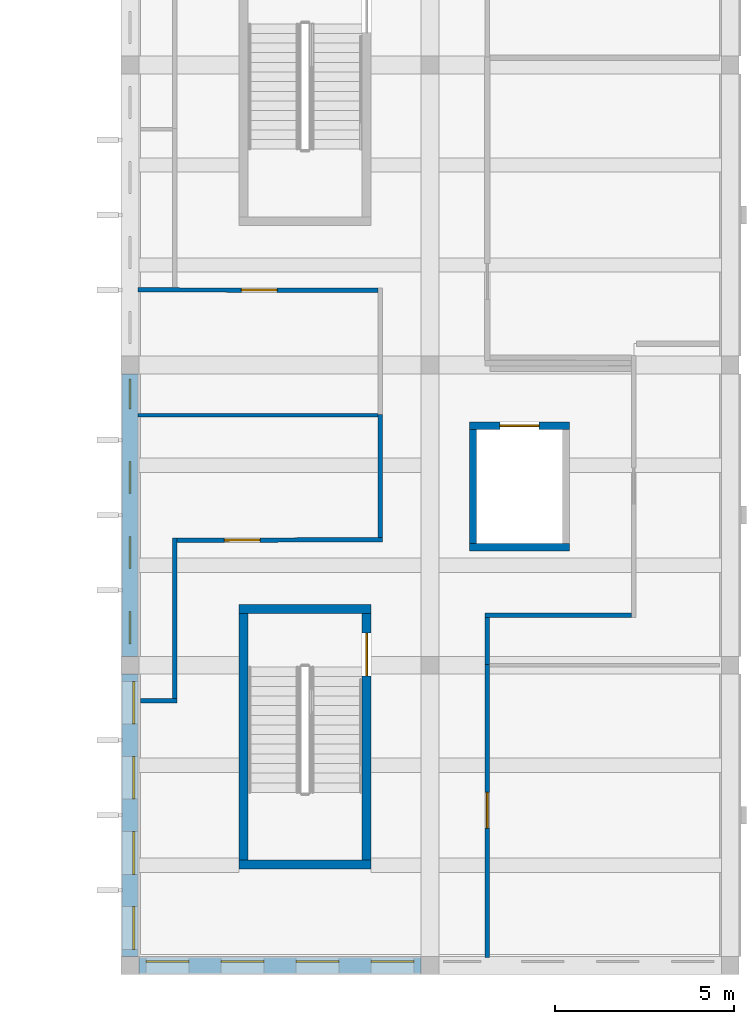
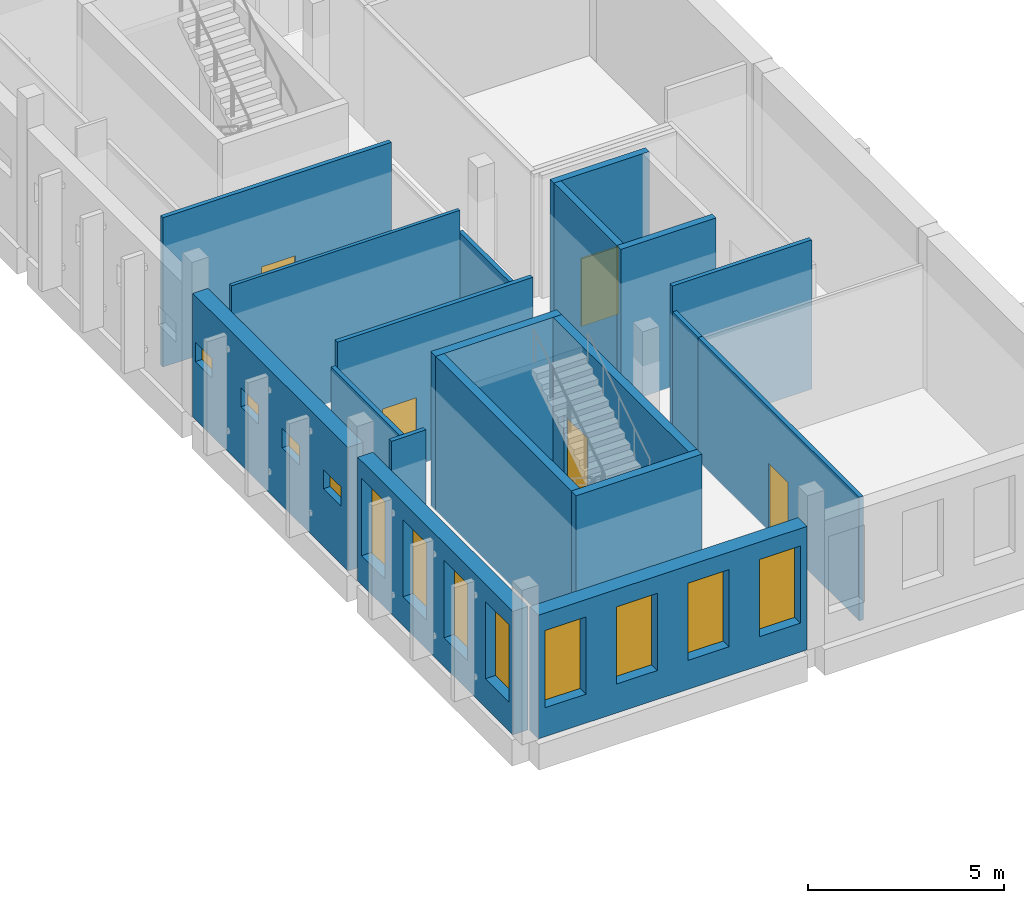
# One storey, part 9 of 37: 19 walls, 12 windows, 5 doors, 17 openings.
"""IFC4 building model written with IfcOpenShell, lengths in metres."""

from ifc_helpers import new_model, si_unit, direction, frame, frame_2d, origin, place, context, subcontext, project, spatial, rectangle, extrude, material, layer, layer_set, type_object, element, fill, save


model = new_model("IFC4")

# Units and contexts
model_context = context("Model", 3, precision=1e-05, world=origin(), true_north=direction((0.0, 1.0)))
body_context = subcontext(model_context, "Body", "Model", "MODEL_VIEW")
ifc_project = project(units=[si_unit("LENGTHUNIT", "METRE"), si_unit("AREAUNIT", "SQUARE_METRE"), si_unit("VOLUMEUNIT", "CUBIC_METRE"), si_unit("PLANEANGLEUNIT", "RADIAN"), si_unit("MASSUNIT", "GRAM", prefix="KILO")], contexts=[model_context])

# Site, building, storey
site_placement = place(None, origin())
site = spatial("IfcSite", under=ifc_project, at=site_placement, CompositionType="ELEMENT")
building_placement = place(site_placement, origin())
building = spatial("IfcBuilding", under=site, at=building_placement, Name="Larchfold Concert Hall", CompositionType="ELEMENT")
storey_placement = place(building_placement, frame((0.0, 0.0, 19.199951171875)))
storey = spatial("IfcBuildingStorey", under=building, at=storey_placement, Name="L04", CompositionType="ELEMENT", Elevation=19.199951171875)

# Wall, opening, door
ifc_material_1 = material(Name="Plasterboard partition on steel studs", Category="steel")
ifc_layer_1 = layer(ifc_material_1, 0.125)
ifc_layer_set_1 = layer_set([ifc_layer_1], Name="Plasterboard partition on steel studs")
wall_type_1 = type_object("IfcWallType", Name="Corridor partition 125 EI 60", PredefinedType="PARTITIONING", material=ifc_layer_set_1)
wall_1_placement = place(storey_placement, frame((94.60107421875, 9.02001953125, 0.0), z_axis=(0.0, 0.0, 1.0), x_axis=(-0.000119168205, -0.999999992899, 0.0)))
wall_1 = element("IfcWall", 1, at=wall_1_placement, inside=storey, type_object=wall_type_1, Name="Partition IW0015", PredefinedType="PARTITIONING", context=body_context, shape_type="SweptSolid", body=[
    extrude(rectangle(XDim=8.19482421875, YDim=0.125, at=frame_2d((4.097412109375, 0.0))), origin(), (0.0, 0.0, 1.0), 3.840087890625),
])
opening_1_placement = place(wall_1_placement, frame((3.579833984375, 0.0, 0.0)))
opening_1 = element("IfcOpeningElement", 2, at=opening_1_placement, cuts=wall_1, Name="Opening D-L04-108", PredefinedType="OPENING", context=body_context, shape_type="SweptSolid", body=[
    extrude(rectangle(XDim=1.0, YDim=2.10009765625, at=frame_2d((0.5, 1.050048828125))), frame((0.0, 0.072509765625, 0.0), z_axis=(0.0, -1.0, 0.0), x_axis=(1.0, 0.0, 0.0)), (0.0, 0.0, 1.0), 0.14501953125),
])
ifc_material_2 = material(Name="Timber door leaf", Category="wood")
door_type_1 = type_object("IfcDoorType", Name="Dressing room door 1000 x 2100 FD30S", OperationType="SINGLE_SWING_LEFT", PredefinedType="DOOR", material=ifc_material_2)
door_1_placement = place(opening_1_placement, origin())
door_1 = element("IfcDoor", 3, at=door_1_placement, inside=storey, type_object=door_type_1, Name="Door D-L04-108", OperationType="SINGLE_SWING_LEFT", OverallHeight=2.10009765625, OverallWidth=1.0, PredefinedType="DOOR", context=body_context, shape_type="SweptSolid", body=[
    extrude(rectangle(XDim=1.0, YDim=2.10009765625, at=frame_2d((0.5, 1.050048828125))), frame((0.0, 0.02490234375, 0.0), z_axis=(0.0, -1.0, 0.0), x_axis=(1.0, 0.0, 0.0)), (0.0, 0.0, 1.0), 0.050048828125),
])
fill(opening_1, door_1)

# Walls
wall_2_placement = place(storey_placement, frame((98.636474609375, 10.40087890625, 0.0), z_axis=(0.0, 0.0, 1.0), x_axis=(-0.999998507473, -0.001727730516, 0.0)))
element("IfcWall", 4, at=wall_2_placement, inside=storey, type_object=wall_type_1, Name="Partition IW0017", PredefinedType="PARTITIONING", context=body_context, shape_type="SweptSolid", body=[
    extrude(rectangle(XDim=4.097900390625, YDim=0.125, at=frame_2d((2.048828125, 0.0))), origin(), (0.0, 0.0, 1.0), 4.64013671875),
])
wall_3_placement = place(storey_placement, frame((94.60107421875, 10.33154296875, 0.0), z_axis=(0.0, 0.0, 1.0), x_axis=(0.0, -1.0, 0.0)))
element("IfcWall", 5, at=wall_3_placement, inside=storey, type_object=wall_type_1, Name="Partition IW0018", PredefinedType="PARTITIONING", context=body_context, shape_type="SweptSolid", body=[
    extrude(rectangle(XDim=1.3115234375, YDim=0.125, at=frame_2d((0.65576171875, 0.0))), origin(), (0.0, 0.0, 1.0), 3.840087890625),
])
wall_4_placement = place(storey_placement, frame((84.89990234375, 8.0, 0.0), z_axis=(0.0, 0.0, 1.0), x_axis=(0.999955888097, 0.009392649238, 0.0)))
element("IfcWall", 6, at=wall_4_placement, inside=storey, type_object=wall_type_1, Name="Partition IW0019", PredefinedType="PARTITIONING", context=body_context, shape_type="SweptSolid", body=[
    extrude(rectangle(XDim=1.013671875, YDim=0.125, at=frame_2d((0.5068359375, 0.0))), origin(), (0.0, 0.0, 1.0), 4.64013671875),
])
wall_5_placement = place(storey_placement, frame((85.85107421875, 8.071533203125, 0.0), z_axis=(0.0, 0.0, 1.0), x_axis=(0.0, 1.0, 0.0)))
element("IfcWall", 7, at=wall_5_placement, inside=storey, type_object=wall_type_1, Name="Partition IW0020", PredefinedType="PARTITIONING", context=body_context, shape_type="SweptSolid", body=[
    extrude(rectangle(XDim=4.489990234375, YDim=0.125, at=frame_2d((2.2451171875, 0.0))), origin(), (0.0, 0.0, 1.0), 3.840087890625),
])

# Wall, opening, door
wall_6_placement = place(storey_placement, frame((85.91357421875, 12.4990234375, 0.0), z_axis=(0.0, 0.0, 1.0), x_axis=(0.999998484761, 0.001740826167, 0.0)))
wall_6 = element("IfcWall", 8, at=wall_6_placement, inside=storey, type_object=wall_type_1, Name="Partition IW0021", PredefinedType="PARTITIONING", context=body_context, shape_type="SweptSolid", body=[
    extrude(rectangle(XDim=5.75, YDim=0.125, at=frame_2d((2.875, 0.0))), origin(), (0.0, 0.0, 1.0), 4.64013671875),
])
opening_2_placement = place(wall_6_placement, frame((1.32666015625, 0.0, 0.0)))
opening_2 = element("IfcOpeningElement", 9, at=opening_2_placement, cuts=wall_6, Name="Opening D-L04-110", PredefinedType="OPENING", context=body_context, shape_type="SweptSolid", body=[
    extrude(rectangle(XDim=1.0, YDim=2.10009765625, at=frame_2d((0.5, 1.050048828125))), frame((0.0, 0.072509765625, 0.0), z_axis=(0.0, -1.0, 0.0), x_axis=(1.0, 0.0, 0.0)), (0.0, 0.0, 1.0), 0.14501953125),
])
door_2_placement = place(opening_2_placement, origin())
door_2 = element("IfcDoor", 10, at=door_2_placement, inside=storey, type_object=door_type_1, Name="Door D-L04-110", OperationType="SINGLE_SWING_RIGHT", OverallHeight=2.10009765625, OverallWidth=1.0, PredefinedType="DOOR", context=body_context, shape_type="SweptSolid", body=[
    extrude(rectangle(XDim=1.0, YDim=2.10009765625, at=frame_2d((0.5, 1.050048828125))), frame((0.0, 0.02490234375, 0.0), z_axis=(0.0, -1.0, 0.0), x_axis=(1.0, 0.0, 0.0)), (0.0, 0.0, 1.0), 0.050048828125),
])
fill(opening_2, door_2)

# Wall
wall_7_placement = place(storey_placement, frame((91.60107421875, 12.571533203125, 0.0), z_axis=(0.0, 0.0, 1.0), x_axis=(-0.000283185829, 0.999999959903, 0.0)))
element("IfcWall", 11, at=wall_7_placement, inside=storey, type_object=wall_type_1, Name="Partition IW0022", PredefinedType="PARTITIONING", context=body_context, shape_type="SweptSolid", body=[
    extrude(rectangle(XDim=3.448486328125, YDim=0.125, at=frame_2d((1.72412109375, 0.0))), origin(), (0.0, 0.0, 1.0), 3.93994140625),
])

# Wall, opening, door
wall_8_placement = place(storey_placement, frame((91.53662109375, 19.4970703125, 0.0), z_axis=(0.0, 0.0, 1.0), x_axis=(-0.999999761149, 0.000691160257, 0.0)))
wall_8 = element("IfcWall", 12, at=wall_8_placement, inside=storey, type_object=wall_type_1, Name="Partition IW0024", PredefinedType="PARTITIONING", context=body_context, shape_type="SweptSolid", body=[
    extrude(rectangle(XDim=6.71142578125, YDim=0.125, at=frame_2d((3.355712890625, 0.0))), origin(), (0.0, 0.0, 1.0), 4.64013671875),
])
opening_3_placement = place(wall_8_placement, frame((2.821044921875, 0.0, 0.0)))
opening_3 = element("IfcOpeningElement", 13, at=opening_3_placement, cuts=wall_8, Name="Opening D-L04-111", PredefinedType="OPENING", context=body_context, shape_type="SweptSolid", body=[
    extrude(rectangle(XDim=1.0, YDim=2.10009765625, at=frame_2d((0.5, 1.050048828125))), frame((0.0, 0.072509765625, 0.0), z_axis=(0.0, -1.0, 0.0), x_axis=(1.0, 0.0, 0.0)), (0.0, 0.0, 1.0), 0.14501953125),
])
door_3_placement = place(opening_3_placement, origin())
door_3 = element("IfcDoor", 14, at=door_3_placement, inside=storey, type_object=door_type_1, Name="Door D-L04-111", OperationType="SINGLE_SWING_LEFT", OverallHeight=2.10009765625, OverallWidth=1.0, PredefinedType="DOOR", context=body_context, shape_type="SweptSolid", body=[
    extrude(rectangle(XDim=1.0, YDim=2.10009765625, at=frame_2d((0.5, 1.050048828125))), frame((0.0, 0.02490234375, 0.0), z_axis=(0.0, -1.0, 0.0), x_axis=(1.0, 0.0, 0.0)), (0.0, 0.0, 1.0), 0.050048828125),
])
fill(opening_3, door_3)

# Walls
ifc_material_3 = material(Name="Plasterboard partition on steel studs", Category="steel")
ifc_layer_2 = layer(ifc_material_3, 0.10009765625)
ifc_layer_set_2 = layer_set([ifc_layer_2], Name="Plasterboard partition on steel studs")
wall_type_2 = type_object("IfcWallType", Name="Stud partition 100", PredefinedType="PARTITIONING", material=ifc_layer_set_2)
wall_9_placement = place(storey_placement, frame((84.8251953125, 16.0, 0.0), z_axis=(0.0, 0.0, 1.0), x_axis=(1.0, 0.0, 0.0)))
element("IfcWall", 15, at=wall_9_placement, inside=storey, type_object=wall_type_2, Name="Partition IW0045", PredefinedType="PARTITIONING", context=body_context, shape_type="SweptSolid", body=[
    extrude(rectangle(XDim=6.709716796875, YDim=0.10009765625, at=frame_2d((3.35498046875, 0.0))), origin(), (0.0, 0.0, 1.0), 4.64013671875),
])
ifc_material_4 = material(Name="Concrete C40/50", Category="concrete")
ifc_layer_3 = layer(ifc_material_4, 0.199951171875)
ifc_layer_set_3 = layer_set([ifc_layer_3], Name="Concrete C40/50")
wall_type_3 = type_object("IfcWallType", Name="Wall RC 200 lift shaft", PredefinedType="SOLIDWALL", material=ifc_layer_set_3)
wall_10_placement = place(storey_placement, frame((94.10009765625, 12.300048828125, 0.0), z_axis=(0.0, 0.0, 1.0), x_axis=(1.0, 0.0, 0.0)))
element("IfcWall", 16, at=wall_10_placement, inside=storey, type_object=wall_type_3, Name="Wall W0106", PredefinedType="SOLIDWALL", context=body_context, shape_type="SweptSolid", body=[
    extrude(rectangle(XDim=2.7998046875, YDim=0.199951171875, at=frame_2d((1.39990234375, 0.0))), origin(), (0.0, 0.0, 1.0), 4.800048828125),
])

# Wall, opening, door
wall_11_placement = place(storey_placement, frame((94.10009765625, 15.699951171875, 0.0), z_axis=(0.0, 0.0, 1.0), x_axis=(1.0, 0.0, 0.0)))
wall_11 = element("IfcWall", 17, at=wall_11_placement, inside=storey, type_object=wall_type_3, Name="Wall W0107", PredefinedType="SOLIDWALL", context=body_context, shape_type="SweptSolid", body=[
    extrude(rectangle(XDim=2.7998046875, YDim=0.199951171875, at=frame_2d((1.39990234375, 0.0))), origin(), (0.0, 0.0, 1.0), 4.800048828125),
])
opening_4_placement = place(wall_11_placement, frame((0.849853515625, 0.0, 0.0)))
opening_4 = element("IfcOpeningElement", 18, at=opening_4_placement, cuts=wall_11, Name="Opening LD-LF06", PredefinedType="OPENING", context=body_context, shape_type="SweptSolid", body=[
    extrude(rectangle(XDim=1.10009765625, YDim=2.10009765625, at=frame_2d((0.550048828125, 1.050048828125))), frame((0.0, 0.10986328125, 0.0), z_axis=(0.0, -1.0, 0.0), x_axis=(1.0, 0.0, 0.0)), (0.0, 0.0, 1.0), 0.219970703125),
])
ifc_material_5 = material(Name="Stainless steel sliding leaves", Category="steel")
door_type_2 = type_object("IfcDoorType", Name="Lift landing door sliding 1100 x 2100", OperationType="SLIDING_TO_LEFT", PredefinedType="DOOR", material=ifc_material_5)
door_4_placement = place(opening_4_placement, origin())
door_4 = element("IfcDoor", 19, at=door_4_placement, inside=storey, type_object=door_type_2, Name="Lift landing door LF06", OperationType="SLIDING_TO_LEFT", OverallHeight=2.10009765625, OverallWidth=1.10009765625, PredefinedType="DOOR", context=body_context, shape_type="SweptSolid", body=[
    extrude(rectangle(XDim=1.10009765625, YDim=2.10009765625, at=frame_2d((0.550048828125, 1.050048828125))), frame((0.0, 0.02490234375, 0.0), z_axis=(0.0, -1.0, 0.0), x_axis=(1.0, 0.0, 0.0)), (0.0, 0.0, 1.0), 0.050048828125),
])
fill(opening_4, door_4)

# Walls
wall_12_placement = place(storey_placement, frame((94.2001953125, 12.39990234375, 0.0), z_axis=(0.0, 0.0, 1.0), x_axis=(0.0, 1.0, 0.0)))
element("IfcWall", 20, at=wall_12_placement, inside=storey, type_object=wall_type_3, Name="Wall W0108", PredefinedType="SOLIDWALL", context=body_context, shape_type="SweptSolid", body=[
    extrude(rectangle(XDim=3.2001953125, YDim=0.199951171875, at=frame_2d((1.60009765625, 0.0))), origin(), (0.0, 0.0, 1.0), 4.800048828125),
])
ifc_material_6 = material(Name="Concrete C40/50", Category="concrete")
ifc_layer_4 = layer(ifc_material_6, 0.25)
ifc_layer_set_4 = layer_set([ifc_layer_4], Name="Concrete C40/50")
wall_type_4 = type_object("IfcWallType", Name="Wall RC 250 stair core", PredefinedType="SOLIDWALL", material=ifc_layer_set_4)
for number, where, z_axis, x_axis, name in (
    (21, (87.64990234375, 3.425048828125, 0.0), (0.0, 0.0, 1.0), (1.0, 0.0, 0.0), "Wall W0074"),
    (22, (87.64990234375, 10.574951171875, 0.0), (0.0, 0.0, 1.0), (1.0, 0.0, 0.0), "Wall W0075"),
):
    element("IfcWall", number, at=place(storey_placement, frame(where, z_axis=z_axis, x_axis=x_axis)), inside=storey, type_object=wall_type_4, Name=name, PredefinedType="SOLIDWALL", context=body_context, shape_type="SweptSolid", body=[
        extrude(rectangle(XDim=3.7001953125, YDim=0.25, at=frame_2d((1.85009765625, 0.0))), origin(), (0.0, 0.0, 1.0), 4.800048828125),
    ])
wall_13_placement = place(storey_placement, frame((87.77490234375, 3.550048828125, 0.0), z_axis=(0.0, 0.0, 1.0), x_axis=(0.0, 1.0, 0.0)))
element("IfcWall", 23, at=wall_13_placement, inside=storey, type_object=wall_type_4, Name="Wall W0076", PredefinedType="SOLIDWALL", context=body_context, shape_type="SweptSolid", body=[
    extrude(rectangle(XDim=6.89990234375, YDim=0.25, at=frame_2d((3.449951171875, 0.0))), origin(), (0.0, 0.0, 1.0), 4.800048828125),
])

# Wall, opening, door
wall_14_placement = place(storey_placement, frame((91.22509765625, 3.550048828125, 0.0), z_axis=(0.0, 0.0, 1.0), x_axis=(0.0, 1.0, 0.0)))
wall_14 = element("IfcWall", 24, at=wall_14_placement, inside=storey, type_object=wall_type_4, Name="Wall W0077", PredefinedType="SOLIDWALL", context=body_context, shape_type="SweptSolid", body=[
    extrude(rectangle(XDim=6.89990234375, YDim=0.25, at=frame_2d((3.449951171875, 0.0))), origin(), (0.0, 0.0, 1.0), 4.800048828125),
])
opening_5_placement = place(wall_14_placement, frame((5.14990234375, 0.0, 0.0)))
opening_5 = element("IfcOpeningElement", 25, at=opening_5_placement, cuts=wall_14, Name="Opening D-L04-129", PredefinedType="OPENING", context=body_context, shape_type="SweptSolid", body=[
    extrude(rectangle(XDim=1.199951171875, YDim=2.10009765625, at=frame_2d((0.60009765625, 1.050048828125))), frame((0.0, 0.135009765625, 0.0), z_axis=(0.0, -1.0, 0.0), x_axis=(1.0, 0.0, 0.0)), (0.0, 0.0, 1.0), 0.27001953125),
])
ifc_material_7 = material(Name="Timber door leaf", Category="wood")
door_type_3 = type_object("IfcDoorType", Name="Stair enclosure door pair 1200 x 2100 FD60", OperationType="SINGLE_SWING_LEFT", PredefinedType="DOOR", material=ifc_material_7)
door_5_placement = place(opening_5_placement, origin())
door_5 = element("IfcDoor", 26, at=door_5_placement, inside=storey, type_object=door_type_3, Name="Door D-L04-129", OperationType="DOUBLE_DOOR_SINGLE_SWING", OverallHeight=2.10009765625, OverallWidth=1.199951171875, PredefinedType="DOOR", context=body_context, shape_type="SweptSolid", body=[
    extrude(rectangle(XDim=1.199951171875, YDim=2.10009765625, at=frame_2d((0.60009765625, 1.050048828125))), frame((0.0, 0.02490234375, 0.0), z_axis=(0.0, -1.0, 0.0), x_axis=(1.0, 0.0, 0.0)), (0.0, 0.0, 1.0), 0.050048828125),
])
fill(opening_5, door_5)

# Wall, openings, windows
ifc_material_8 = material(Name="White render on mineral wool and block")
ifc_layer_5 = layer(ifc_material_8, 0.449951171875)
ifc_layer_set_5 = layer_set([ifc_layer_5], Name="White render on mineral wool and block")
wall_type_5 = type_object("IfcWallType", Name="White render infill wall 450", PredefinedType="SOLIDWALL", material=ifc_layer_set_5)
wall_15_placement = place(storey_placement, frame((84.60009765625, 17.14990234375, 0.0), z_axis=(0.0, 0.0, 1.0), x_axis=(0.0, -1.0, 0.0)))
wall_15 = element("IfcWall", 27, at=wall_15_placement, inside=storey, type_object=wall_type_5, Name="Infill wall W5172", PredefinedType="SOLIDWALL", context=body_context, shape_type="SweptSolid", body=[
    extrude(rectangle(XDim=7.89990234375, YDim=0.449951171875, at=frame_2d((3.949951171875, 0.0))), origin(), (0.0, 0.0, 1.0), 3.840087890625),
])
opening_6_placement = place(wall_15_placement, frame((6.64990234375, 0.0, 1.800048828125)))
opening_6 = element("IfcOpeningElement", 28, at=opening_6_placement, cuts=wall_15, Name="Opening WN-L04-037", PredefinedType="OPENING", context=body_context, shape_type="SweptSolid", body=[
    extrude(rectangle(XDim=0.89990234375, YDim=0.60009765625, at=frame_2d((0.449951171875, 0.300048828125))), frame((0.0, 0.23486328125, 0.0), z_axis=(0.0, -1.0, 0.0), x_axis=(1.0, 0.0, 0.0)), (0.0, 0.0, 1.0), 0.469970703125),
])
opening_7_placement = place(wall_15_placement, frame((4.5498046875, 0.0, 1.800048828125)))
opening_7 = element("IfcOpeningElement", 29, at=opening_7_placement, cuts=wall_15, Name="Opening WN-L04-038", PredefinedType="OPENING", context=body_context, shape_type="SweptSolid", body=[
    extrude(rectangle(XDim=0.89990234375, YDim=0.60009765625, at=frame_2d((0.449951171875, 0.300048828125))), frame((0.0, 0.23486328125, 0.0), z_axis=(0.0, -1.0, 0.0), x_axis=(1.0, 0.0, 0.0)), (0.0, 0.0, 1.0), 0.469970703125),
])
opening_8_placement = place(wall_15_placement, frame((2.449951171875, 0.0, 1.800048828125)))
opening_8 = element("IfcOpeningElement", 30, at=opening_8_placement, cuts=wall_15, Name="Opening WN-L04-039", PredefinedType="OPENING", context=body_context, shape_type="SweptSolid", body=[
    extrude(rectangle(XDim=0.89990234375, YDim=0.60009765625, at=frame_2d((0.449951171875, 0.300048828125))), frame((0.0, 0.23486328125, 0.0), z_axis=(0.0, -1.0, 0.0), x_axis=(1.0, 0.0, 0.0)), (0.0, 0.0, 1.0), 0.469970703125),
])
opening_9_placement = place(wall_15_placement, frame((0.135009765625, 0.0, 1.800048828125)))
opening_9 = element("IfcOpeningElement", 31, at=opening_9_placement, cuts=wall_15, Name="Opening WN-L04-040", PredefinedType="OPENING", context=body_context, shape_type="SweptSolid", body=[
    extrude(rectangle(XDim=0.85009765625, YDim=0.60009765625, at=frame_2d((0.425048828125, 0.300048828125))), frame((0.0, 0.23486328125, 0.0), z_axis=(0.0, -1.0, 0.0), x_axis=(1.0, 0.0, 0.0)), (0.0, 0.0, 1.0), 0.469970703125),
])
ifc_material_9 = material(Name="Anodised graphite aluminium frame with obscured glass", Category="aluminium")
window_type_1 = type_object("IfcWindowType", Name="Toilet high window 850x600", PartitioningType="SINGLE_PANEL", PredefinedType="WINDOW", material=ifc_material_9)
window_1_placement = place(opening_9_placement, origin())
window_1 = element("IfcWindow", 32, at=window_1_placement, inside=storey, type_object=window_type_1, Name="Window WN-L04-040", OverallHeight=0.60009765625, OverallWidth=0.85009765625, PartitioningType="SINGLE_PANEL", PredefinedType="WINDOW", context=body_context, shape_type="SweptSolid", body=[
    extrude(rectangle(XDim=0.85009765625, YDim=0.60009765625, at=frame_2d((0.425048828125, 0.300048828125))), frame((0.0, 0.034912109375, 0.0), z_axis=(0.0, -1.0, 0.0), x_axis=(1.0, 0.0, 0.0)), (0.0, 0.0, 1.0), 0.06005859375),
])
fill(opening_9, window_1)
ifc_material_10 = material(Name="Anodised graphite aluminium frame with obscured glass", Category="aluminium")
window_type_2 = type_object("IfcWindowType", Name="Toilet high window 900x600", PartitioningType="SINGLE_PANEL", PredefinedType="WINDOW", material=ifc_material_10)
window_2_placement = place(opening_6_placement, origin())
window_2 = element("IfcWindow", 33, at=window_2_placement, inside=storey, type_object=window_type_2, Name="Window WN-L04-037", OverallHeight=0.60009765625, OverallWidth=0.89990234375, PartitioningType="SINGLE_PANEL", PredefinedType="WINDOW", context=body_context, shape_type="SweptSolid", body=[
    extrude(rectangle(XDim=0.89990234375, YDim=0.60009765625, at=frame_2d((0.449951171875, 0.300048828125))), frame((0.0, 0.034912109375, 0.0), z_axis=(0.0, -1.0, 0.0), x_axis=(1.0, 0.0, 0.0)), (0.0, 0.0, 1.0), 0.06005859375),
])
fill(opening_6, window_2)
window_3_placement = place(opening_7_placement, origin())
window_3 = element("IfcWindow", 34, at=window_3_placement, inside=storey, type_object=window_type_2, Name="Window WN-L04-038", OverallHeight=0.60009765625, OverallWidth=0.89990234375, PartitioningType="SINGLE_PANEL", PredefinedType="WINDOW", context=body_context, shape_type="SweptSolid", body=[
    extrude(rectangle(XDim=0.89990234375, YDim=0.60009765625, at=frame_2d((0.449951171875, 0.300048828125))), frame((0.0, 0.034912109375, 0.0), z_axis=(0.0, -1.0, 0.0), x_axis=(1.0, 0.0, 0.0)), (0.0, 0.0, 1.0), 0.06005859375),
])
fill(opening_7, window_3)
window_4_placement = place(opening_8_placement, origin())
window_4 = element("IfcWindow", 35, at=window_4_placement, inside=storey, type_object=window_type_2, Name="Window WN-L04-039", OverallHeight=0.60009765625, OverallWidth=0.89990234375, PartitioningType="SINGLE_PANEL", PredefinedType="WINDOW", context=body_context, shape_type="SweptSolid", body=[
    extrude(rectangle(XDim=0.89990234375, YDim=0.60009765625, at=frame_2d((0.449951171875, 0.300048828125))), frame((0.0, 0.034912109375, 0.0), z_axis=(0.0, -1.0, 0.0), x_axis=(1.0, 0.0, 0.0)), (0.0, 0.0, 1.0), 0.06005859375),
])
fill(opening_8, window_4)

wall_16_placement = place(storey_placement, frame((84.60009765625, 8.75, 0.0), z_axis=(0.0, 0.0, 1.0), x_axis=(0.0, -1.0, 0.0)))
wall_16 = element("IfcWall", 36, at=wall_16_placement, inside=storey, type_object=wall_type_5, Name="Infill wall W5173", PredefinedType="SOLIDWALL", context=body_context, shape_type="SweptSolid", body=[
    extrude(rectangle(XDim=7.89990234375, YDim=0.449951171875, at=frame_2d((3.949951171875, 0.0))), origin(), (0.0, 0.0, 1.0), 3.840087890625),
])
opening_10_placement = place(wall_16_placement, frame((6.5, 0.0, 0.89990234375)))
opening_10 = element("IfcOpeningElement", 37, at=opening_10_placement, cuts=wall_16, Name="Opening WN-L04-041", PredefinedType="OPENING", context=body_context, shape_type="SweptSolid", body=[
    extrude(rectangle(XDim=1.199951171875, YDim=2.39990234375, at=frame_2d((0.60009765625, 1.199951171875))), frame((0.0, 0.23486328125, 0.0), z_axis=(0.0, -1.0, 0.0), x_axis=(1.0, 0.0, 0.0)), (0.0, 0.0, 1.0), 0.469970703125),
])
opening_11_placement = place(wall_16_placement, frame((4.39990234375, 0.0, 0.89990234375)))
opening_11 = element("IfcOpeningElement", 38, at=opening_11_placement, cuts=wall_16, Name="Opening WN-L04-042", PredefinedType="OPENING", context=body_context, shape_type="SweptSolid", body=[
    extrude(rectangle(XDim=1.199951171875, YDim=2.39990234375, at=frame_2d((0.60009765625, 1.199951171875))), frame((0.0, 0.23486328125, 0.0), z_axis=(0.0, -1.0, 0.0), x_axis=(1.0, 0.0, 0.0)), (0.0, 0.0, 1.0), 0.469970703125),
])
opening_12_placement = place(wall_16_placement, frame((2.300048828125, 0.0, 0.89990234375)))
opening_12 = element("IfcOpeningElement", 39, at=opening_12_placement, cuts=wall_16, Name="Opening WN-L04-043", PredefinedType="OPENING", context=body_context, shape_type="SweptSolid", body=[
    extrude(rectangle(XDim=1.199951171875, YDim=2.39990234375, at=frame_2d((0.60009765625, 1.199951171875))), frame((0.0, 0.23486328125, 0.0), z_axis=(0.0, -1.0, 0.0), x_axis=(1.0, 0.0, 0.0)), (0.0, 0.0, 1.0), 0.469970703125),
])
opening_13_placement = place(wall_16_placement, frame((0.199951171875, 0.0, 0.89990234375)))
opening_13 = element("IfcOpeningElement", 40, at=opening_13_placement, cuts=wall_16, Name="Opening WN-L04-044", PredefinedType="OPENING", context=body_context, shape_type="SweptSolid", body=[
    extrude(rectangle(XDim=1.199951171875, YDim=2.39990234375, at=frame_2d((0.60009765625, 1.199951171875))), frame((0.0, 0.23486328125, 0.0), z_axis=(0.0, -1.0, 0.0), x_axis=(1.0, 0.0, 0.0)), (0.0, 0.0, 1.0), 0.469970703125),
])
ifc_material_11 = material(Name="Anodised graphite aluminium frame with glass", Category="aluminium")
window_type_3 = type_object("IfcWindowType", Name="Slot window 1200x2400", PartitioningType="SINGLE_PANEL", PredefinedType="WINDOW", material=ifc_material_11)
window_5_placement = place(opening_10_placement, origin())
window_5 = element("IfcWindow", 41, at=window_5_placement, inside=storey, type_object=window_type_3, Name="Window WN-L04-041", OverallHeight=2.39990234375, OverallWidth=1.199951171875, PartitioningType="SINGLE_PANEL", PredefinedType="WINDOW", context=body_context, shape_type="SweptSolid", body=[
    extrude(rectangle(XDim=1.199951171875, YDim=2.39990234375, at=frame_2d((0.60009765625, 1.199951171875))), frame((0.0, 0.135009765625, 0.0), z_axis=(0.0, -1.0, 0.0), x_axis=(1.0, 0.0, 0.0)), (0.0, 0.0, 1.0), 0.06005859375),
])
fill(opening_10, window_5)
window_6_placement = place(opening_11_placement, origin())
window_6 = element("IfcWindow", 42, at=window_6_placement, inside=storey, type_object=window_type_3, Name="Window WN-L04-042", OverallHeight=2.39990234375, OverallWidth=1.199951171875, PartitioningType="SINGLE_PANEL", PredefinedType="WINDOW", context=body_context, shape_type="SweptSolid", body=[
    extrude(rectangle(XDim=1.199951171875, YDim=2.39990234375, at=frame_2d((0.60009765625, 1.199951171875))), frame((0.0, 0.135009765625, 0.0), z_axis=(0.0, -1.0, 0.0), x_axis=(1.0, 0.0, 0.0)), (0.0, 0.0, 1.0), 0.06005859375),
])
fill(opening_11, window_6)
window_7_placement = place(opening_12_placement, origin())
window_7 = element("IfcWindow", 43, at=window_7_placement, inside=storey, type_object=window_type_3, Name="Window WN-L04-043", OverallHeight=2.39990234375, OverallWidth=1.199951171875, PartitioningType="SINGLE_PANEL", PredefinedType="WINDOW", context=body_context, shape_type="SweptSolid", body=[
    extrude(rectangle(XDim=1.199951171875, YDim=2.39990234375, at=frame_2d((0.60009765625, 1.199951171875))), frame((0.0, 0.135009765625, 0.0), z_axis=(0.0, -1.0, 0.0), x_axis=(1.0, 0.0, 0.0)), (0.0, 0.0, 1.0), 0.06005859375),
])
fill(opening_12, window_7)
window_8_placement = place(opening_13_placement, origin())
window_8 = element("IfcWindow", 44, at=window_8_placement, inside=storey, type_object=window_type_3, Name="Window WN-L04-044", OverallHeight=2.39990234375, OverallWidth=1.199951171875, PartitioningType="SINGLE_PANEL", PredefinedType="WINDOW", context=body_context, shape_type="SweptSolid", body=[
    extrude(rectangle(XDim=1.199951171875, YDim=2.39990234375, at=frame_2d((0.60009765625, 1.199951171875))), frame((0.0, 0.135009765625, 0.0), z_axis=(0.0, -1.0, 0.0), x_axis=(1.0, 0.0, 0.0)), (0.0, 0.0, 1.0), 0.06005859375),
])
fill(opening_13, window_8)

wall_17_placement = place(storey_placement, frame((84.85009765625, 0.60009765625, 0.0), z_axis=(0.0, 0.0, 1.0), x_axis=(1.0, 0.0, 0.0)))
wall_17 = element("IfcWall", 45, at=wall_17_placement, inside=storey, type_object=wall_type_5, Name="Infill wall W5174", PredefinedType="SOLIDWALL", context=body_context, shape_type="SweptSolid", body=[
    extrude(rectangle(XDim=7.89990234375, YDim=0.449951171875, at=frame_2d((3.949951171875, 0.0))), origin(), (0.0, 0.0, 1.0), 3.840087890625),
])
opening_14_placement = place(wall_17_placement, frame((0.199951171875, 0.0, 0.89990234375)))
opening_14 = element("IfcOpeningElement", 46, at=opening_14_placement, cuts=wall_17, Name="Opening WN-L04-045", PredefinedType="OPENING", context=body_context, shape_type="SweptSolid", body=[
    extrude(rectangle(XDim=1.199951171875, YDim=2.39990234375, at=frame_2d((0.60009765625, 1.199951171875))), frame((0.0, 0.23486328125, 0.0), z_axis=(0.0, -1.0, 0.0), x_axis=(1.0, 0.0, 0.0)), (0.0, 0.0, 1.0), 0.469970703125),
])
opening_15_placement = place(wall_17_placement, frame((2.2998046875, 0.0, 0.89990234375)))
opening_15 = element("IfcOpeningElement", 47, at=opening_15_placement, cuts=wall_17, Name="Opening WN-L04-046", PredefinedType="OPENING", context=body_context, shape_type="SweptSolid", body=[
    extrude(rectangle(XDim=1.199951171875, YDim=2.39990234375, at=frame_2d((0.60009765625, 1.199951171875))), frame((0.0, 0.23486328125, 0.0), z_axis=(0.0, -1.0, 0.0), x_axis=(1.0, 0.0, 0.0)), (0.0, 0.0, 1.0), 0.469970703125),
])
opening_16_placement = place(wall_17_placement, frame((4.39990234375, 0.0, 0.89990234375)))
opening_16 = element("IfcOpeningElement", 48, at=opening_16_placement, cuts=wall_17, Name="Opening WN-L04-047", PredefinedType="OPENING", context=body_context, shape_type="SweptSolid", body=[
    extrude(rectangle(XDim=1.199951171875, YDim=2.39990234375, at=frame_2d((0.60009765625, 1.199951171875))), frame((0.0, 0.23486328125, 0.0), z_axis=(0.0, -1.0, 0.0), x_axis=(1.0, 0.0, 0.0)), (0.0, 0.0, 1.0), 0.469970703125),
])
opening_17_placement = place(wall_17_placement, frame((6.5, 0.0, 0.89990234375)))
opening_17 = element("IfcOpeningElement", 49, at=opening_17_placement, cuts=wall_17, Name="Opening WN-L04-048", PredefinedType="OPENING", context=body_context, shape_type="SweptSolid", body=[
    extrude(rectangle(XDim=1.199951171875, YDim=2.39990234375, at=frame_2d((0.60009765625, 1.199951171875))), frame((0.0, 0.23486328125, 0.0), z_axis=(0.0, -1.0, 0.0), x_axis=(1.0, 0.0, 0.0)), (0.0, 0.0, 1.0), 0.469970703125),
])
window_9_placement = place(opening_14_placement, origin())
window_9 = element("IfcWindow", 50, at=window_9_placement, inside=storey, type_object=window_type_3, Name="Window WN-L04-045", OverallHeight=2.39990234375, OverallWidth=1.199951171875, PartitioningType="SINGLE_PANEL", PredefinedType="WINDOW", context=body_context, shape_type="SweptSolid", body=[
    extrude(rectangle(XDim=1.199951171875, YDim=2.39990234375, at=frame_2d((0.60009765625, 1.199951171875))), frame((0.0, 0.135009765625, 0.0), z_axis=(0.0, -1.0, 0.0), x_axis=(1.0, 0.0, 0.0)), (0.0, 0.0, 1.0), 0.06005859375),
])
fill(opening_14, window_9)
window_10_placement = place(opening_15_placement, origin())
window_10 = element("IfcWindow", 51, at=window_10_placement, inside=storey, type_object=window_type_3, Name="Window WN-L04-046", OverallHeight=2.39990234375, OverallWidth=1.199951171875, PartitioningType="SINGLE_PANEL", PredefinedType="WINDOW", context=body_context, shape_type="SweptSolid", body=[
    extrude(rectangle(XDim=1.199951171875, YDim=2.39990234375, at=frame_2d((0.60009765625, 1.199951171875))), frame((0.0, 0.135009765625, 0.0), z_axis=(0.0, -1.0, 0.0), x_axis=(1.0, 0.0, 0.0)), (0.0, 0.0, 1.0), 0.06005859375),
])
fill(opening_15, window_10)
window_11_placement = place(opening_16_placement, origin())
window_11 = element("IfcWindow", 52, at=window_11_placement, inside=storey, type_object=window_type_3, Name="Window WN-L04-047", OverallHeight=2.39990234375, OverallWidth=1.199951171875, PartitioningType="SINGLE_PANEL", PredefinedType="WINDOW", context=body_context, shape_type="SweptSolid", body=[
    extrude(rectangle(XDim=1.199951171875, YDim=2.39990234375, at=frame_2d((0.60009765625, 1.199951171875))), frame((0.0, 0.135009765625, 0.0), z_axis=(0.0, -1.0, 0.0), x_axis=(1.0, 0.0, 0.0)), (0.0, 0.0, 1.0), 0.06005859375),
])
fill(opening_16, window_11)
window_12_placement = place(opening_17_placement, origin())
window_12 = element("IfcWindow", 53, at=window_12_placement, inside=storey, type_object=window_type_3, Name="Window WN-L04-048", OverallHeight=2.39990234375, OverallWidth=1.199951171875, PartitioningType="SINGLE_PANEL", PredefinedType="WINDOW", context=body_context, shape_type="SweptSolid", body=[
    extrude(rectangle(XDim=1.199951171875, YDim=2.39990234375, at=frame_2d((0.60009765625, 1.199951171875))), frame((0.0, 0.135009765625, 0.0), z_axis=(0.0, -1.0, 0.0), x_axis=(1.0, 0.0, 0.0)), (0.0, 0.0, 1.0), 0.06005859375),
])
fill(opening_17, window_12)

save(model, "model.ifc")
